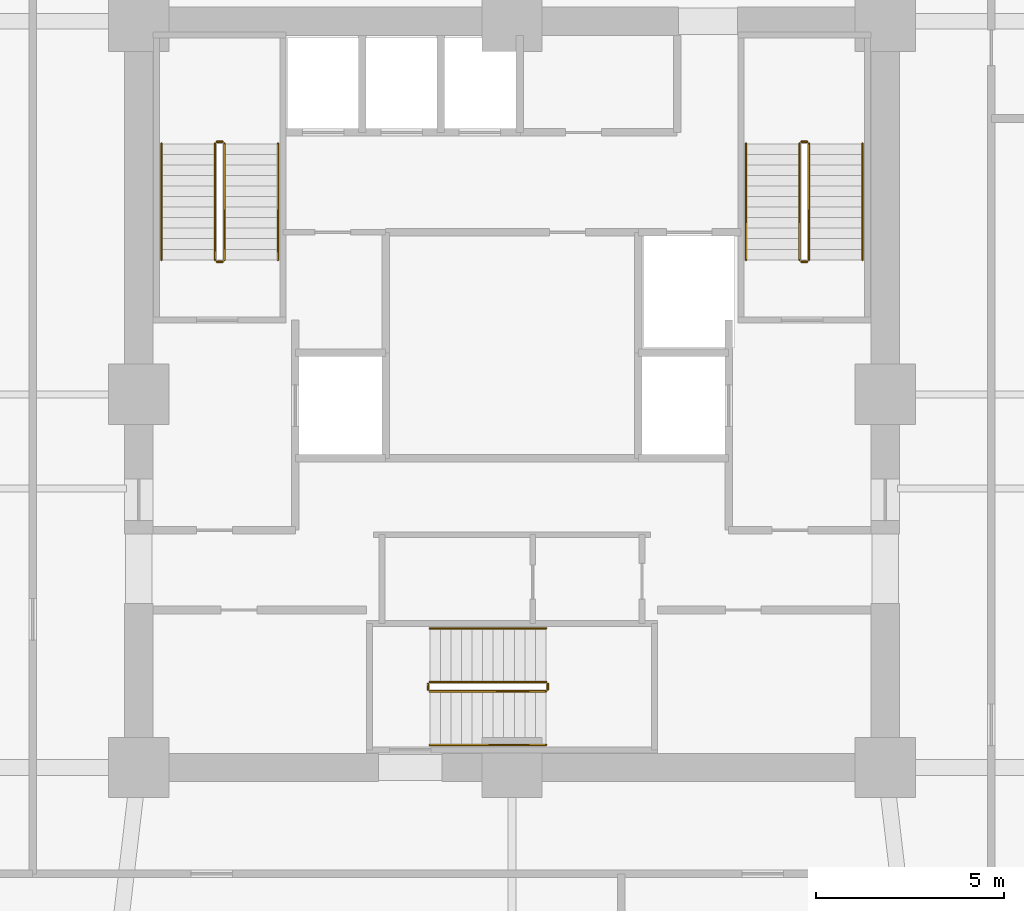
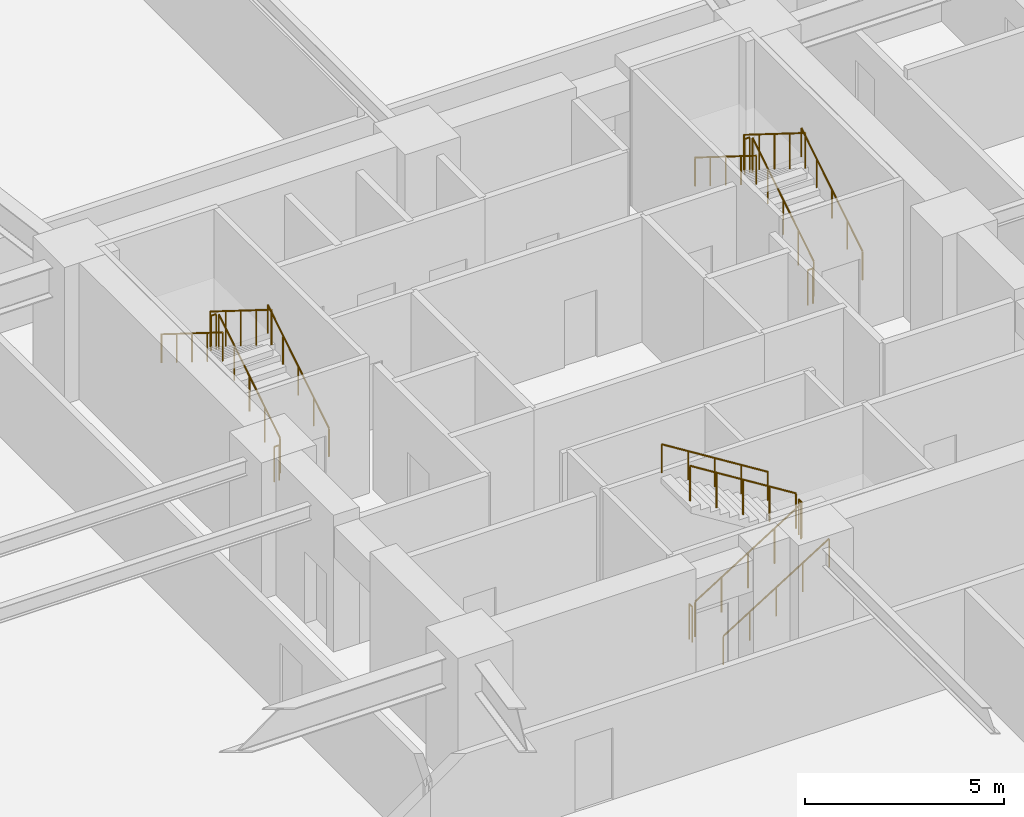
# One storey, part 5 of 5: 18 railings.
"""IFC4 building model written with IfcOpenShell, lengths in metres."""

from ifc_helpers import new_model, si_unit, direction, frame, origin, origin_2d, place, context, subcontext, project, spatial, circle, extrude, material, type_object, element, save


model = new_model("IFC4")

# Units and contexts
model_context = context("Model", 3, precision=1e-05, world=origin(), true_north=direction((0.0, 1.0)))
body_context = subcontext(model_context, "Body", "Model", "MODEL_VIEW")
ifc_project = project(units=[si_unit("LENGTHUNIT", "METRE"), si_unit("AREAUNIT", "SQUARE_METRE"), si_unit("VOLUMEUNIT", "CUBIC_METRE"), si_unit("PLANEANGLEUNIT", "RADIAN"), si_unit("MASSUNIT", "GRAM", prefix="KILO")], contexts=[model_context])

# Site, building, storey
site_placement = place(None, origin())
site = spatial("IfcSite", under=ifc_project, at=site_placement, CompositionType="ELEMENT")
building_placement = place(site_placement, origin())
building = spatial("IfcBuilding", under=site, at=building_placement, Name="Kolvaren Belvedere", CompositionType="ELEMENT")
storey_placement = place(building_placement, frame((0.0, 0.0, -4.199951171875)))
storey = spatial("IfcBuildingStorey", under=building, at=storey_placement, Name="B01", CompositionType="ELEMENT", Elevation=-4.199951171875)

# Railings
ifc_material_1 = material(Name="Brushed stainless-steel handrail", Category="steel")
railing_type_1 = type_object("IfcRailingType", Name="RL-HANDRAIL-920", PredefinedType="HANDRAIL", material=ifc_material_1)
railing_1_placement = place(storey_placement, frame((-6.2099609375, 3.570068359375, 0.175048828125)))
element("IfcRailing", 1, at=railing_1_placement, inside=storey, type_object=railing_type_1, Name="B01 ST-1 stair handrail 1", PredefinedType="HANDRAIL", context=body_context, shape_type="SweptSolid", body=[
    extrude(circle(Radius=0.02392578125, at=origin_2d()), frame((0.0, 0.0, 0.8759765625), z_axis=(0.0, 0.848009633417, 0.529980812513), x_axis=(-1.0, 0.0, 0.0)), (0.0, 0.0, 1.0), 3.6318359375),
    extrude(circle(Radius=0.02099609375, at=origin_2d()), origin(), (0.0, 0.0, 1.0), 0.851806640625),
    extrude(circle(Radius=0.02099609375, at=origin_2d()), frame((0.0, 0.77001953125, 0.481201171875)), (0.0, 0.0, 1.0), 0.851806640625),
    extrude(circle(Radius=0.02099609375, at=origin_2d()), frame((0.0, 1.5400390625, 0.96240234375)), (0.0, 0.0, 1.0), 0.851806640625),
    extrude(circle(Radius=0.02099609375, at=origin_2d()), frame((0.0, 2.309814453125, 1.443603515625)), (0.0, 0.0, 1.0), 0.851806640625),
    extrude(circle(Radius=0.02099609375, at=origin_2d()), frame((0.0, 3.079833984375, 1.9248046875)), (0.0, 0.0, 1.0), 0.851806640625),
])
railing_2_placement = place(storey_placement, frame((-9.300048828125, 6.64990234375, 2.27490234375)))
element("IfcRailing", 2, at=railing_2_placement, inside=storey, type_object=railing_type_1, Name="B01 ST-1 stair handrail 2", PredefinedType="HANDRAIL", context=body_context, shape_type="SweptSolid", body=[
    extrude(circle(Radius=0.02392578125, at=origin_2d()), frame((0.0, 0.0, 0.8759765625), z_axis=(0.0, -0.847979421464, 0.530029150871), x_axis=(1.0, 0.0, 0.0)), (0.0, 0.0, 1.0), 3.632080078125),
    extrude(circle(Radius=0.02099609375, at=origin_2d()), origin(), (0.0, 0.0, 1.0), 0.851806640625),
    extrude(circle(Radius=0.02099609375, at=origin_2d()), frame((0.0, -0.77001953125, 0.481201171875)), (0.0, 0.0, 1.0), 0.851806640625),
    extrude(circle(Radius=0.02099609375, at=origin_2d()), frame((0.0, -1.5400390625, 0.96240234375)), (0.0, 0.0, 1.0), 0.851806640625),
    extrude(circle(Radius=0.02099609375, at=origin_2d()), frame((0.0, -2.309814453125, 1.44384765625)), (0.0, 0.0, 1.0), 0.851806640625),
    extrude(circle(Radius=0.02099609375, at=origin_2d()), frame((0.0, -3.079833984375, 1.925048828125)), (0.0, 0.0, 1.0), 0.851806640625),
])
railing_3_placement = place(storey_placement, frame((9.300048828125, 3.570068359375, 0.175048828125)))
element("IfcRailing", 3, at=railing_3_placement, inside=storey, type_object=railing_type_1, Name="B01 ST-2 stair handrail 1", PredefinedType="HANDRAIL", context=body_context, shape_type="SweptSolid", body=[
    extrude(circle(Radius=0.02392578125, at=origin_2d()), frame((0.0, 0.0, 0.8759765625), z_axis=(0.0, 0.848009633417, 0.529980812513), x_axis=(-1.0, 0.0, 0.0)), (0.0, 0.0, 1.0), 3.6318359375),
    extrude(circle(Radius=0.02099609375, at=origin_2d()), origin(), (0.0, 0.0, 1.0), 0.851806640625),
    extrude(circle(Radius=0.02099609375, at=origin_2d()), frame((0.0, 0.77001953125, 0.481201171875)), (0.0, 0.0, 1.0), 0.851806640625),
    extrude(circle(Radius=0.02099609375, at=origin_2d()), frame((0.0, 1.5400390625, 0.96240234375)), (0.0, 0.0, 1.0), 0.851806640625),
    extrude(circle(Radius=0.02099609375, at=origin_2d()), frame((0.0, 2.309814453125, 1.443603515625)), (0.0, 0.0, 1.0), 0.851806640625),
    extrude(circle(Radius=0.02099609375, at=origin_2d()), frame((0.0, 3.079833984375, 1.9248046875)), (0.0, 0.0, 1.0), 0.851806640625),
])
railing_4_placement = place(storey_placement, frame((6.2099609375, 6.64990234375, 2.27490234375)))
element("IfcRailing", 4, at=railing_4_placement, inside=storey, type_object=railing_type_1, Name="B01 ST-2 stair handrail 2", PredefinedType="HANDRAIL", context=body_context, shape_type="SweptSolid", body=[
    extrude(circle(Radius=0.02392578125, at=origin_2d()), frame((0.0, 0.0, 0.8759765625), z_axis=(0.0, -0.847979421464, 0.530029150871), x_axis=(1.0, 0.0, 0.0)), (0.0, 0.0, 1.0), 3.632080078125),
    extrude(circle(Radius=0.02099609375, at=origin_2d()), origin(), (0.0, 0.0, 1.0), 0.851806640625),
    extrude(circle(Radius=0.02099609375, at=origin_2d()), frame((0.0, -0.77001953125, 0.481201171875)), (0.0, 0.0, 1.0), 0.851806640625),
    extrude(circle(Radius=0.02099609375, at=origin_2d()), frame((0.0, -1.5400390625, 0.96240234375)), (0.0, 0.0, 1.0), 0.851806640625),
    extrude(circle(Radius=0.02099609375, at=origin_2d()), frame((0.0, -2.309814453125, 1.44384765625)), (0.0, 0.0, 1.0), 0.851806640625),
    extrude(circle(Radius=0.02099609375, at=origin_2d()), frame((0.0, -3.079833984375, 1.925048828125)), (0.0, 0.0, 1.0), 0.851806640625),
])
railing_5_placement = place(storey_placement, frame((-2.179931640625, -9.300048828125, 0.175048828125)))
element("IfcRailing", 5, at=railing_5_placement, inside=storey, type_object=railing_type_1, Name="B01 ST-3 stair handrail 1", PredefinedType="HANDRAIL", context=body_context, shape_type="SweptSolid", body=[
    extrude(circle(Radius=0.02392578125, at=origin_2d()), frame((0.0, 0.0, 0.8759765625), z_axis=(0.848009633417, 0.0, 0.529980812513), x_axis=(0.0, 1.0, 0.0)), (0.0, 0.0, 1.0), 3.6318359375),
    extrude(circle(Radius=0.02099609375, at=origin_2d()), origin(), (0.0, 0.0, 1.0), 0.851806640625),
    extrude(circle(Radius=0.02099609375, at=origin_2d()), frame((0.77001953125, 0.0, 0.481201171875)), (0.0, 0.0, 1.0), 0.851806640625),
    extrude(circle(Radius=0.02099609375, at=origin_2d()), frame((1.5400390625, 0.0, 0.96240234375)), (0.0, 0.0, 1.0), 0.851806640625),
    extrude(circle(Radius=0.02099609375, at=origin_2d()), frame((2.309814453125, 0.0, 1.443603515625)), (0.0, 0.0, 1.0), 0.851806640625),
    extrude(circle(Radius=0.02099609375, at=origin_2d()), frame((3.079833984375, 0.0, 1.9248046875)), (0.0, 0.0, 1.0), 0.851806640625),
])
railing_6_placement = place(storey_placement, frame((0.89990234375, -6.2099609375, 2.27490234375)))
element("IfcRailing", 6, at=railing_6_placement, inside=storey, type_object=railing_type_1, Name="B01 ST-3 stair handrail 2", PredefinedType="HANDRAIL", context=body_context, shape_type="SweptSolid", body=[
    extrude(circle(Radius=0.02392578125, at=origin_2d()), frame((0.0, 0.0, 0.8759765625), z_axis=(-0.847979421464, 0.0, 0.530029150871), x_axis=(0.0, -1.0, 0.0)), (0.0, 0.0, 1.0), 3.632080078125),
    extrude(circle(Radius=0.02099609375, at=origin_2d()), origin(), (0.0, 0.0, 1.0), 0.851806640625),
    extrude(circle(Radius=0.02099609375, at=origin_2d()), frame((-0.77001953125, 0.0, 0.481201171875)), (0.0, 0.0, 1.0), 0.851806640625),
    extrude(circle(Radius=0.02099609375, at=origin_2d()), frame((-1.5400390625, 0.0, 0.96240234375)), (0.0, 0.0, 1.0), 0.851806640625),
    extrude(circle(Radius=0.02099609375, at=origin_2d()), frame((-2.309814453125, 0.0, 1.44384765625)), (0.0, 0.0, 1.0), 0.851806640625),
    extrude(circle(Radius=0.02099609375, at=origin_2d()), frame((-3.079833984375, 0.0, 1.925048828125)), (0.0, 0.0, 1.0), 0.851806640625),
])
ifc_material_2 = material(Name="Painted tubular steel stair guard", Category="steel")
railing_type_2 = type_object("IfcRailingType", Name="RL-STGUARD-1100", PredefinedType="GUARDRAIL", material=ifc_material_2)
railing_7_placement = place(storey_placement, frame((-7.6298828125, 3.570068359375, 0.175048828125)))
element("IfcRailing", 7, at=railing_7_placement, inside=storey, type_object=railing_type_2, Name="B01 ST-1 stair guard 1", PredefinedType="GUARDRAIL", context=body_context, shape_type="SweptSolid", body=[
    extrude(circle(Radius=0.02392578125, at=origin_2d()), frame((0.0, 0.0, 1.076171875), z_axis=(0.0, 0.848009633417, 0.529980812513), x_axis=(-1.0, 0.0, 0.0)), (0.0, 0.0, 1.0), 3.6318359375),
    extrude(circle(Radius=0.02099609375, at=origin_2d()), origin(), (0.0, 0.0, 1.0), 1.052001953125),
    extrude(circle(Radius=0.02099609375, at=origin_2d()), frame((0.0, 0.77001953125, 0.481201171875)), (0.0, 0.0, 1.0), 1.052001953125),
    extrude(circle(Radius=0.02099609375, at=origin_2d()), frame((0.0, 1.5400390625, 0.96240234375)), (0.0, 0.0, 1.0), 1.052001953125),
    extrude(circle(Radius=0.02099609375, at=origin_2d()), frame((0.0, 2.309814453125, 1.443603515625)), (0.0, 0.0, 1.0), 1.052001953125),
    extrude(circle(Radius=0.02099609375, at=origin_2d()), frame((0.0, 3.079833984375, 1.9248046875)), (0.0, 0.0, 1.0), 1.052001953125),
])
railing_8_placement = place(storey_placement, frame((-7.679931640625, 6.699951171875, 2.099853515625)))
element("IfcRailing", 8, at=railing_8_placement, inside=storey, type_object=railing_type_2, Name="B01 ST-1 stair guard 2", PredefinedType="GUARDRAIL", context=body_context, shape_type="SweptSolid", body=[
    extrude(circle(Radius=0.02392578125, at=origin_2d()), frame((0.0, 0.0, 1.076171875), z_axis=(-1.0, 0.0, 0.0), x_axis=(0.0, -1.0, 0.0)), (0.0, 0.0, 1.0), 0.150146484375),
    extrude(circle(Radius=0.02099609375, at=origin_2d()), origin(), (0.0, 0.0, 1.0), 1.052001953125),
    extrude(circle(Radius=0.02099609375, at=origin_2d()), frame((-0.150146484375, 0.0, 0.0)), (0.0, 0.0, 1.0), 1.052001953125),
])
railing_9_placement = place(storey_placement, frame((-7.8798828125, 6.64990234375, 2.27490234375)))
element("IfcRailing", 9, at=railing_9_placement, inside=storey, type_object=railing_type_2, Name="B01 ST-1 stair guard 3", PredefinedType="GUARDRAIL", context=body_context, shape_type="SweptSolid", body=[
    extrude(circle(Radius=0.02392578125, at=origin_2d()), frame((0.0, 0.0, 1.076171875), z_axis=(0.0, -0.847979421464, 0.530029150871), x_axis=(1.0, 0.0, 0.0)), (0.0, 0.0, 1.0), 3.632080078125),
    extrude(circle(Radius=0.02099609375, at=origin_2d()), origin(), (0.0, 0.0, 1.0), 1.052001953125),
    extrude(circle(Radius=0.02099609375, at=origin_2d()), frame((0.0, -0.77001953125, 0.481201171875)), (0.0, 0.0, 1.0), 1.052001953125),
    extrude(circle(Radius=0.02099609375, at=origin_2d()), frame((0.0, -1.5400390625, 0.96240234375)), (0.0, 0.0, 1.0), 1.052001953125),
    extrude(circle(Radius=0.02099609375, at=origin_2d()), frame((0.0, -2.309814453125, 1.44384765625)), (0.0, 0.0, 1.0), 1.052001953125),
    extrude(circle(Radius=0.02099609375, at=origin_2d()), frame((0.0, -3.079833984375, 1.925048828125)), (0.0, 0.0, 1.0), 1.052001953125),
])
railing_10_placement = place(storey_placement, frame((-7.679931640625, 3.52001953125, 0.0)))
element("IfcRailing", 10, at=railing_10_placement, inside=storey, type_object=railing_type_2, Name="B01 ST-1 stair guard 4", PredefinedType="GUARDRAIL", context=body_context, shape_type="SweptSolid", body=[
    extrude(circle(Radius=0.02392578125, at=origin_2d()), frame((0.0, 0.0, 1.076171875), z_axis=(-1.0, 0.0, 0.0), x_axis=(0.0, -1.0, 0.0)), (0.0, 0.0, 1.0), 0.150146484375),
    extrude(circle(Radius=0.02099609375, at=origin_2d()), origin(), (0.0, 0.0, 1.0), 1.052001953125),
    extrude(circle(Radius=0.02099609375, at=origin_2d()), frame((-0.150146484375, 0.0, 0.0)), (0.0, 0.0, 1.0), 1.052001953125),
])
railing_11_placement = place(storey_placement, frame((7.8798828125, 3.570068359375, 0.175048828125)))
element("IfcRailing", 11, at=railing_11_placement, inside=storey, type_object=railing_type_2, Name="B01 ST-2 stair guard 1", PredefinedType="GUARDRAIL", context=body_context, shape_type="SweptSolid", body=[
    extrude(circle(Radius=0.02392578125, at=origin_2d()), frame((0.0, 0.0, 1.076171875), z_axis=(0.0, 0.848009633417, 0.529980812513), x_axis=(-1.0, 0.0, 0.0)), (0.0, 0.0, 1.0), 3.6318359375),
    extrude(circle(Radius=0.02099609375, at=origin_2d()), origin(), (0.0, 0.0, 1.0), 1.052001953125),
    extrude(circle(Radius=0.02099609375, at=origin_2d()), frame((0.0, 0.77001953125, 0.481201171875)), (0.0, 0.0, 1.0), 1.052001953125),
    extrude(circle(Radius=0.02099609375, at=origin_2d()), frame((0.0, 1.5400390625, 0.96240234375)), (0.0, 0.0, 1.0), 1.052001953125),
    extrude(circle(Radius=0.02099609375, at=origin_2d()), frame((0.0, 2.309814453125, 1.443603515625)), (0.0, 0.0, 1.0), 1.052001953125),
    extrude(circle(Radius=0.02099609375, at=origin_2d()), frame((0.0, 3.079833984375, 1.9248046875)), (0.0, 0.0, 1.0), 1.052001953125),
])
railing_12_placement = place(storey_placement, frame((7.830078125, 6.699951171875, 2.099853515625)))
element("IfcRailing", 12, at=railing_12_placement, inside=storey, type_object=railing_type_2, Name="B01 ST-2 stair guard 2", PredefinedType="GUARDRAIL", context=body_context, shape_type="SweptSolid", body=[
    extrude(circle(Radius=0.02392578125, at=origin_2d()), frame((0.0, 0.0, 1.076171875), z_axis=(-1.0, 0.0, 0.0), x_axis=(0.0, -1.0, 0.0)), (0.0, 0.0, 1.0), 0.150146484375),
    extrude(circle(Radius=0.02099609375, at=origin_2d()), origin(), (0.0, 0.0, 1.0), 1.052001953125),
    extrude(circle(Radius=0.02099609375, at=origin_2d()), frame((-0.150146484375, 0.0, 0.0)), (0.0, 0.0, 1.0), 1.052001953125),
])
railing_13_placement = place(storey_placement, frame((7.6298828125, 6.64990234375, 2.27490234375)))
element("IfcRailing", 13, at=railing_13_placement, inside=storey, type_object=railing_type_2, Name="B01 ST-2 stair guard 3", PredefinedType="GUARDRAIL", context=body_context, shape_type="SweptSolid", body=[
    extrude(circle(Radius=0.02392578125, at=origin_2d()), frame((0.0, 0.0, 1.076171875), z_axis=(0.0, -0.847979421464, 0.530029150871), x_axis=(1.0, 0.0, 0.0)), (0.0, 0.0, 1.0), 3.632080078125),
    extrude(circle(Radius=0.02099609375, at=origin_2d()), origin(), (0.0, 0.0, 1.0), 1.052001953125),
    extrude(circle(Radius=0.02099609375, at=origin_2d()), frame((0.0, -0.77001953125, 0.481201171875)), (0.0, 0.0, 1.0), 1.052001953125),
    extrude(circle(Radius=0.02099609375, at=origin_2d()), frame((0.0, -1.5400390625, 0.96240234375)), (0.0, 0.0, 1.0), 1.052001953125),
    extrude(circle(Radius=0.02099609375, at=origin_2d()), frame((0.0, -2.309814453125, 1.44384765625)), (0.0, 0.0, 1.0), 1.052001953125),
    extrude(circle(Radius=0.02099609375, at=origin_2d()), frame((0.0, -3.079833984375, 1.925048828125)), (0.0, 0.0, 1.0), 1.052001953125),
])
railing_14_placement = place(storey_placement, frame((7.830078125, 3.52001953125, 0.0)))
element("IfcRailing", 14, at=railing_14_placement, inside=storey, type_object=railing_type_2, Name="B01 ST-2 stair guard 4", PredefinedType="GUARDRAIL", context=body_context, shape_type="SweptSolid", body=[
    extrude(circle(Radius=0.02392578125, at=origin_2d()), frame((0.0, 0.0, 1.076171875), z_axis=(-1.0, 0.0, 0.0), x_axis=(0.0, -1.0, 0.0)), (0.0, 0.0, 1.0), 0.150146484375),
    extrude(circle(Radius=0.02099609375, at=origin_2d()), origin(), (0.0, 0.0, 1.0), 1.052001953125),
    extrude(circle(Radius=0.02099609375, at=origin_2d()), frame((-0.150146484375, 0.0, 0.0)), (0.0, 0.0, 1.0), 1.052001953125),
])
railing_15_placement = place(storey_placement, frame((-2.179931640625, -7.8798828125, 0.175048828125)))
element("IfcRailing", 15, at=railing_15_placement, inside=storey, type_object=railing_type_2, Name="B01 ST-3 stair guard 1", PredefinedType="GUARDRAIL", context=body_context, shape_type="SweptSolid", body=[
    extrude(circle(Radius=0.02392578125, at=origin_2d()), frame((0.0, 0.0, 1.076171875), z_axis=(0.848009633417, 0.0, 0.529980812513), x_axis=(0.0, 1.0, 0.0)), (0.0, 0.0, 1.0), 3.6318359375),
    extrude(circle(Radius=0.02099609375, at=origin_2d()), origin(), (0.0, 0.0, 1.0), 1.052001953125),
    extrude(circle(Radius=0.02099609375, at=origin_2d()), frame((0.77001953125, 0.0, 0.481201171875)), (0.0, 0.0, 1.0), 1.052001953125),
    extrude(circle(Radius=0.02099609375, at=origin_2d()), frame((1.5400390625, 0.0, 0.96240234375)), (0.0, 0.0, 1.0), 1.052001953125),
    extrude(circle(Radius=0.02099609375, at=origin_2d()), frame((2.309814453125, 0.0, 1.443603515625)), (0.0, 0.0, 1.0), 1.052001953125),
    extrude(circle(Radius=0.02099609375, at=origin_2d()), frame((3.079833984375, 0.0, 1.9248046875)), (0.0, 0.0, 1.0), 1.052001953125),
])
railing_16_placement = place(storey_placement, frame((0.949951171875, -7.830078125, 2.099853515625)))
element("IfcRailing", 16, at=railing_16_placement, inside=storey, type_object=railing_type_2, Name="B01 ST-3 stair guard 2", PredefinedType="GUARDRAIL", context=body_context, shape_type="SweptSolid", body=[
    extrude(circle(Radius=0.02392578125, at=origin_2d()), frame((0.0, 0.0, 1.076171875), z_axis=(0.0, 1.0, 0.0), x_axis=(-1.0, 0.0, 0.0)), (0.0, 0.0, 1.0), 0.150146484375),
    extrude(circle(Radius=0.02099609375, at=origin_2d()), origin(), (0.0, 0.0, 1.0), 1.052001953125),
    extrude(circle(Radius=0.02099609375, at=origin_2d()), frame((0.0, 0.150146484375, 0.0)), (0.0, 0.0, 1.0), 1.052001953125),
])
railing_17_placement = place(storey_placement, frame((0.89990234375, -7.6298828125, 2.27490234375)))
element("IfcRailing", 17, at=railing_17_placement, inside=storey, type_object=railing_type_2, Name="B01 ST-3 stair guard 3", PredefinedType="GUARDRAIL", context=body_context, shape_type="SweptSolid", body=[
    extrude(circle(Radius=0.02392578125, at=origin_2d()), frame((0.0, 0.0, 1.076171875), z_axis=(-0.847979421464, 0.0, 0.530029150871), x_axis=(0.0, -1.0, 0.0)), (0.0, 0.0, 1.0), 3.632080078125),
    extrude(circle(Radius=0.02099609375, at=origin_2d()), origin(), (0.0, 0.0, 1.0), 1.052001953125),
    extrude(circle(Radius=0.02099609375, at=origin_2d()), frame((-0.77001953125, 0.0, 0.481201171875)), (0.0, 0.0, 1.0), 1.052001953125),
    extrude(circle(Radius=0.02099609375, at=origin_2d()), frame((-1.5400390625, 0.0, 0.96240234375)), (0.0, 0.0, 1.0), 1.052001953125),
    extrude(circle(Radius=0.02099609375, at=origin_2d()), frame((-2.309814453125, 0.0, 1.44384765625)), (0.0, 0.0, 1.0), 1.052001953125),
    extrude(circle(Radius=0.02099609375, at=origin_2d()), frame((-3.079833984375, 0.0, 1.925048828125)), (0.0, 0.0, 1.0), 1.052001953125),
])
railing_18_placement = place(storey_placement, frame((-2.22998046875, -7.830078125, 0.0)))
element("IfcRailing", 18, at=railing_18_placement, inside=storey, type_object=railing_type_2, Name="B01 ST-3 stair guard 4", PredefinedType="GUARDRAIL", context=body_context, shape_type="SweptSolid", body=[
    extrude(circle(Radius=0.02392578125, at=origin_2d()), frame((0.0, 0.0, 1.076171875), z_axis=(0.0, 1.0, 0.0), x_axis=(-1.0, 0.0, 0.0)), (0.0, 0.0, 1.0), 0.150146484375),
    extrude(circle(Radius=0.02099609375, at=origin_2d()), origin(), (0.0, 0.0, 1.0), 1.052001953125),
    extrude(circle(Radius=0.02099609375, at=origin_2d()), frame((0.0, 0.150146484375, 0.0)), (0.0, 0.0, 1.0), 1.052001953125),
])

save(model, "model.ifc")
